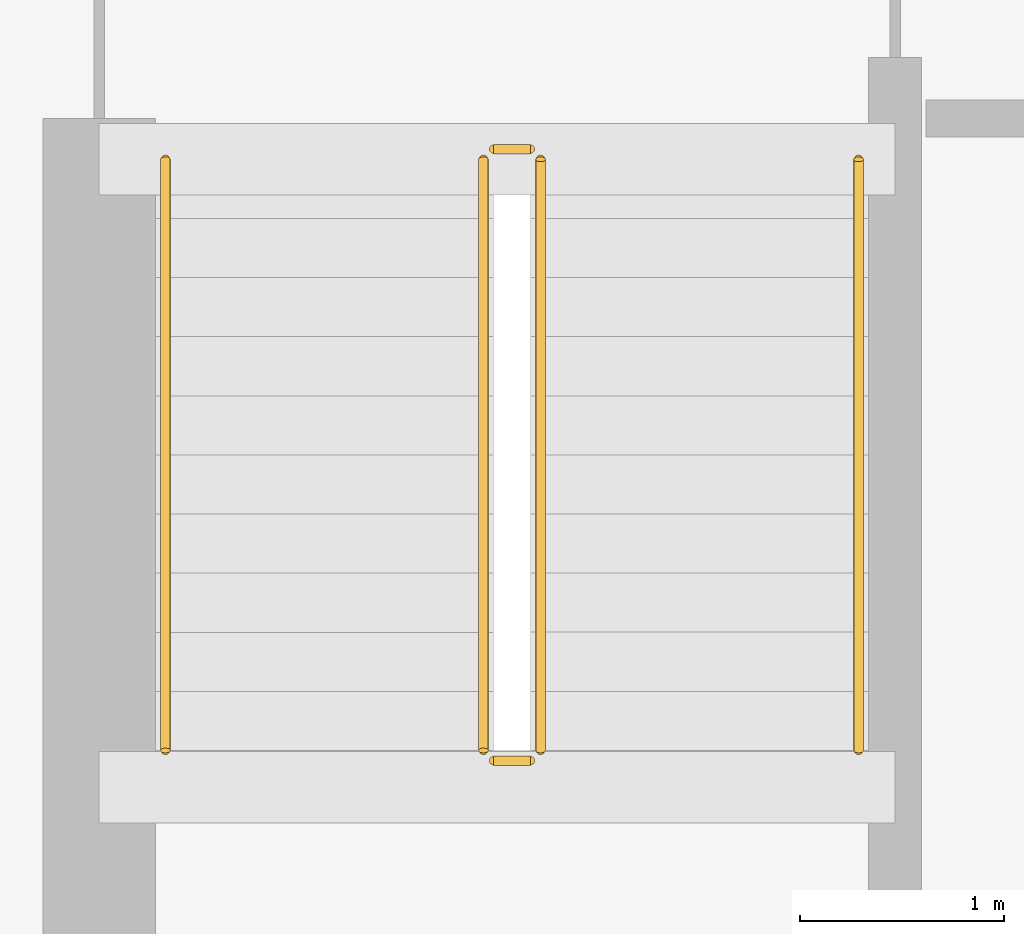
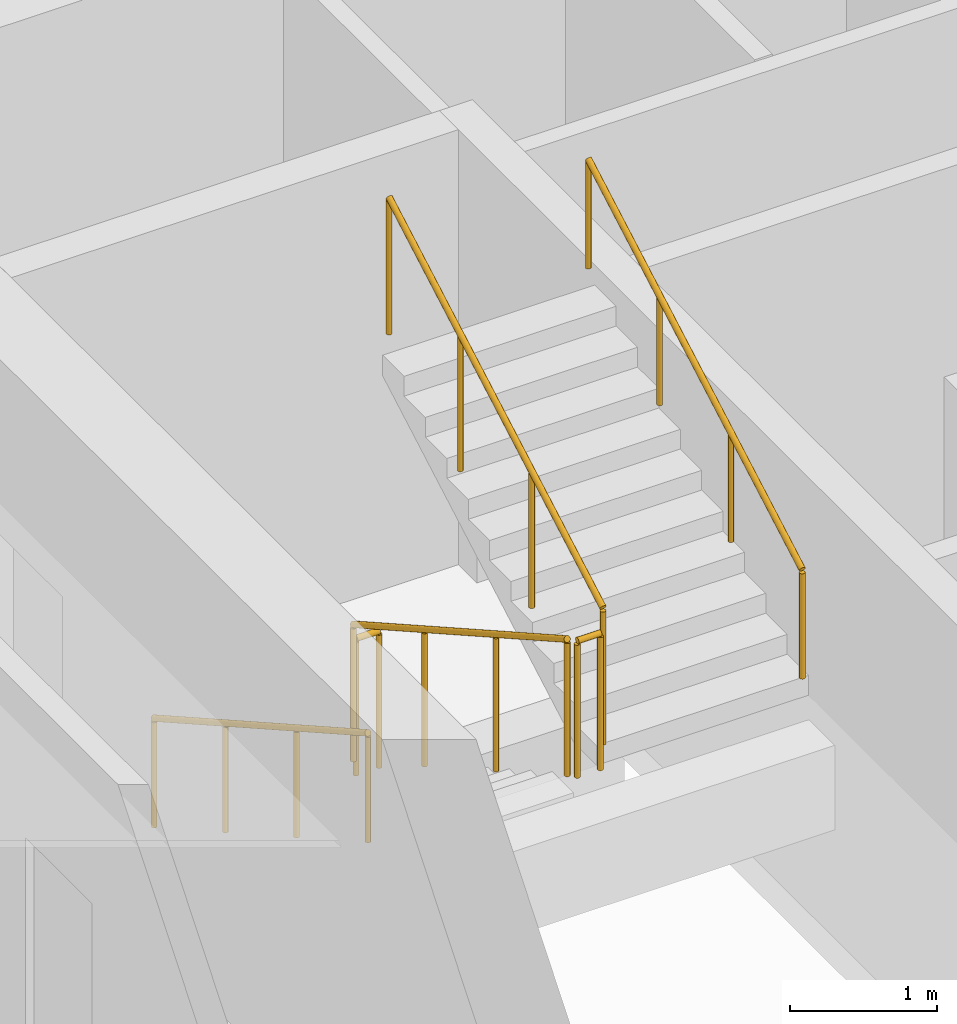
# One storey, part 7 of 9: 6 railings.
"""IFC4 building model written with IfcOpenShell, lengths in metres."""

from ifc_helpers import new_model, si_unit, direction, frame, origin, origin_2d, place, context, subcontext, project, spatial, circle, extrude, material, type_object, element, save


model = new_model("IFC4")

# Units and contexts
model_context = context("Model", 3, precision=1e-05, world=origin(), true_north=direction((0.0, 1.0)))
body_context = subcontext(model_context, "Body", "Model", "MODEL_VIEW")
ifc_project = project(units=[si_unit("LENGTHUNIT", "METRE"), si_unit("AREAUNIT", "SQUARE_METRE"), si_unit("VOLUMEUNIT", "CUBIC_METRE"), si_unit("PLANEANGLEUNIT", "RADIAN"), si_unit("MASSUNIT", "GRAM", prefix="KILO")], contexts=[model_context])

# Site, building, storey
site_placement = place(None, origin())
site = spatial("IfcSite", under=ifc_project, at=site_placement, CompositionType="ELEMENT")
building_placement = place(site_placement, origin())
building = spatial("IfcBuilding", under=site, at=building_placement, Name="Calvemar Wedge Station Tower", CompositionType="ELEMENT")
storey_placement = place(building_placement, frame((0.0, 0.0, 263.699951171875)))
storey = spatial("IfcBuildingStorey", under=building, at=storey_placement, Name="L67", CompositionType="ELEMENT", Elevation=263.699951171875)

# Railings
ifc_material_1 = material(Name="Stainless steel AISI 316L", Category="steel")
railing_type_1 = type_object("IfcRailingType", Name="RL-HANDRAIL-920", PredefinedType="HANDRAIL", material=ifc_material_1)
railing_1_placement = place(storey_placement, frame((16.64990234375, 41.14990234375, 0.16357421875)))
element("IfcRailing", 1, at=railing_1_placement, inside=storey, type_object=railing_type_1, Name="L67 ST-C1 stair handrail 1", PredefinedType="HANDRAIL", context=body_context, shape_type="SweptSolid", body=[
    extrude(circle(Radius=0.02392578125, at=origin_2d()), frame((0.0, 0.0, 0.89599609375), z_axis=(0.0, -0.870897200241, 0.491465224214), x_axis=(1.0, 0.0, 0.0)), (0.0, 0.0, 1.0), 3.329833984375),
    extrude(circle(Radius=0.02099609375, at=origin_2d()), origin(), (0.0, 0.0, 1.0), 0.871826171875),
    extrude(circle(Radius=0.02099609375, at=origin_2d()), frame((0.0, -0.966552734375, 0.54541015625)), (0.0, 0.0, 1.0), 0.871826171875),
    extrude(circle(Radius=0.02099609375, at=origin_2d()), frame((0.0, -1.933349609375, 1.091064453125)), (0.0, 0.0, 1.0), 0.871826171875),
    extrude(circle(Radius=0.02099609375, at=origin_2d()), frame((0.0, -2.89990234375, 1.636474609375)), (0.0, 0.0, 1.0), 0.871826171875),
])
railing_2_placement = place(storey_placement, frame((20.050048828125, 38.25, 1.963623046875)))
element("IfcRailing", 2, at=railing_2_placement, inside=storey, type_object=railing_type_1, Name="L67 ST-C1 stair handrail 2", PredefinedType="HANDRAIL", context=body_context, shape_type="SweptSolid", body=[
    extrude(circle(Radius=0.02392578125, at=origin_2d()), frame((0.0, 0.0, 0.89599609375), z_axis=(0.0, 0.870897200241, 0.491465224214), x_axis=(-1.0, 0.0, 0.0)), (0.0, 0.0, 1.0), 3.329833984375),
    extrude(circle(Radius=0.02099609375, at=origin_2d()), origin(), (0.0, 0.0, 1.0), 0.871826171875),
    extrude(circle(Radius=0.02099609375, at=origin_2d()), frame((0.0, 0.966552734375, 0.54541015625)), (0.0, 0.0, 1.0), 0.871826171875),
    extrude(circle(Radius=0.02099609375, at=origin_2d()), frame((0.0, 1.933349609375, 1.091064453125)), (0.0, 0.0, 1.0), 0.871826171875),
    extrude(circle(Radius=0.02099609375, at=origin_2d()), frame((0.0, 2.89990234375, 1.636474609375)), (0.0, 0.0, 1.0), 0.871826171875),
])
ifc_material_2 = material(Name="Painted steel guardrail ASTM A500 Grade C", Category="steel")
railing_type_2 = type_object("IfcRailingType", Name="RL-STAIR-GUARD-1150", PredefinedType="GUARDRAIL", material=ifc_material_2)
railing_3_placement = place(storey_placement, frame((18.2099609375, 41.14990234375, 0.16357421875)))
element("IfcRailing", 3, at=railing_3_placement, inside=storey, type_object=railing_type_2, Name="L67 ST-C1 stair guard 1", PredefinedType="GUARDRAIL", context=body_context, shape_type="SweptSolid", body=[
    extrude(circle(Radius=0.02392578125, at=origin_2d()), frame((0.0, 0.0, 1.1259765625), z_axis=(0.0, -0.870897200241, 0.491465224214), x_axis=(1.0, 0.0, 0.0)), (0.0, 0.0, 1.0), 3.329833984375),
    extrude(circle(Radius=0.02099609375, at=origin_2d()), origin(), (0.0, 0.0, 1.0), 1.101806640625),
    extrude(circle(Radius=0.02099609375, at=origin_2d()), frame((0.0, -0.966552734375, 0.54541015625)), (0.0, 0.0, 1.0), 1.101806640625),
    extrude(circle(Radius=0.02099609375, at=origin_2d()), frame((0.0, -1.933349609375, 1.091064453125)), (0.0, 0.0, 1.0), 1.101806640625),
    extrude(circle(Radius=0.02099609375, at=origin_2d()), frame((0.0, -2.89990234375, 1.636474609375)), (0.0, 0.0, 1.0), 1.101806640625),
])
railing_4_placement = place(storey_placement, frame((18.260009765625, 38.199951171875, 1.800048828125)))
element("IfcRailing", 4, at=railing_4_placement, inside=storey, type_object=railing_type_2, Name="L67 ST-C1 stair guard 2", PredefinedType="GUARDRAIL", context=body_context, shape_type="SweptSolid", body=[
    extrude(circle(Radius=0.02392578125, at=origin_2d()), frame((0.0, 0.0, 1.1259765625), z_axis=(1.0, 0.0, 0.0), x_axis=(0.0, 1.0, 0.0)), (0.0, 0.0, 1.0), 0.179931640625),
    extrude(circle(Radius=0.02099609375, at=origin_2d()), origin(), (0.0, 0.0, 1.0), 1.101806640625),
    extrude(circle(Radius=0.02099609375, at=origin_2d()), frame((0.179931640625, 0.0, 0.0)), (0.0, 0.0, 1.0), 1.101806640625),
])
railing_5_placement = place(storey_placement, frame((18.489990234375, 38.25, 1.963623046875)))
element("IfcRailing", 5, at=railing_5_placement, inside=storey, type_object=railing_type_2, Name="L67 ST-C1 stair guard 3", PredefinedType="GUARDRAIL", context=body_context, shape_type="SweptSolid", body=[
    extrude(circle(Radius=0.02392578125, at=origin_2d()), frame((0.0, 0.0, 1.1259765625), z_axis=(0.0, 0.870897200241, 0.491465224214), x_axis=(-1.0, 0.0, 0.0)), (0.0, 0.0, 1.0), 3.329833984375),
    extrude(circle(Radius=0.02099609375, at=origin_2d()), origin(), (0.0, 0.0, 1.0), 1.101806640625),
    extrude(circle(Radius=0.02099609375, at=origin_2d()), frame((0.0, 0.966552734375, 0.54541015625)), (0.0, 0.0, 1.0), 1.101806640625),
    extrude(circle(Radius=0.02099609375, at=origin_2d()), frame((0.0, 1.933349609375, 1.091064453125)), (0.0, 0.0, 1.0), 1.101806640625),
    extrude(circle(Radius=0.02099609375, at=origin_2d()), frame((0.0, 2.89990234375, 1.636474609375)), (0.0, 0.0, 1.0), 1.101806640625),
])
railing_6_placement = place(storey_placement, frame((18.260009765625, 41.199951171875, 0.0)))
element("IfcRailing", 6, at=railing_6_placement, inside=storey, type_object=railing_type_2, Name="L67 ST-C1 stair guard 4", PredefinedType="GUARDRAIL", context=body_context, shape_type="SweptSolid", body=[
    extrude(circle(Radius=0.02392578125, at=origin_2d()), frame((0.0, 0.0, 1.1259765625), z_axis=(1.0, 0.0, 0.0), x_axis=(0.0, 1.0, 0.0)), (0.0, 0.0, 1.0), 0.179931640625),
    extrude(circle(Radius=0.02099609375, at=origin_2d()), origin(), (0.0, 0.0, 1.0), 1.101806640625),
    extrude(circle(Radius=0.02099609375, at=origin_2d()), frame((0.179931640625, 0.0, 0.0)), (0.0, 0.0, 1.0), 1.101806640625),
])

save(model, "model.ifc")
